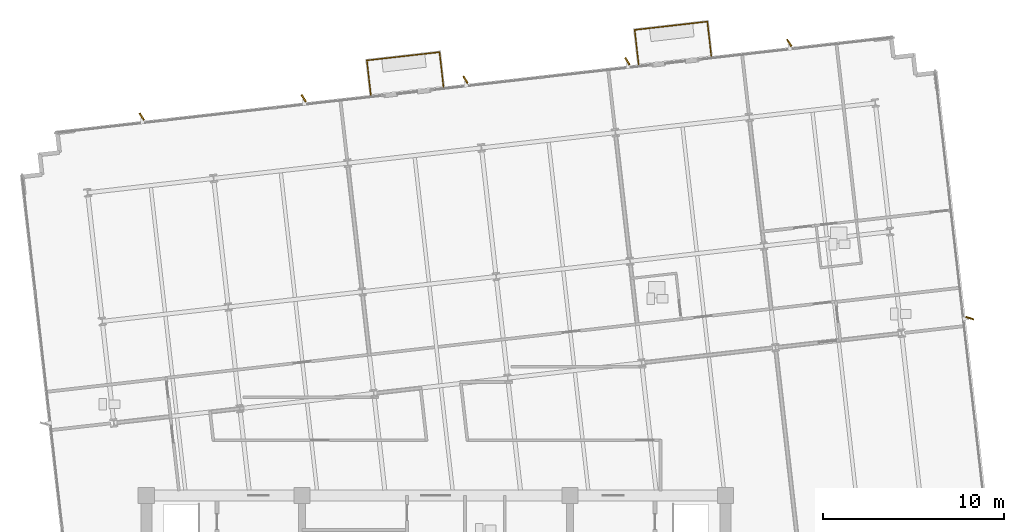
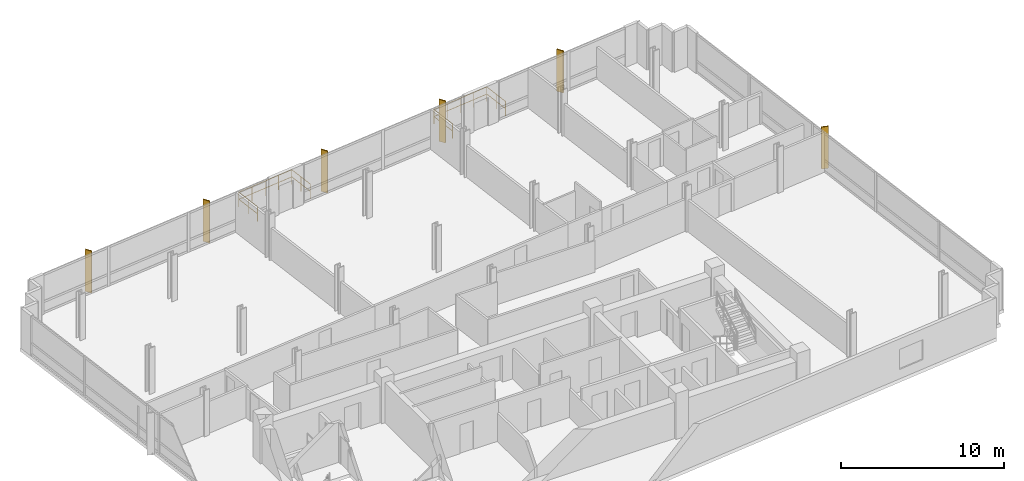
# One storey, part 13 of 14: 6 railings, 6 shading devices.
"""IFC4 building model written with IfcOpenShell, lengths in metres."""

from ifc_helpers import new_model, si_unit, direction, frame, origin, origin_2d, place, context, subcontext, project, spatial, rectangle, circle, extrude, material, layer, layer_set, type_object, element, save


model = new_model("IFC4")

# Units and contexts
model_context = context("Model", 3, precision=1e-05, world=origin(), true_north=direction((0.0, 1.0)))
body_context = subcontext(model_context, "Body", "Model", "MODEL_VIEW")
ifc_project = project(units=[si_unit("LENGTHUNIT", "METRE"), si_unit("AREAUNIT", "SQUARE_METRE"), si_unit("VOLUMEUNIT", "CUBIC_METRE"), si_unit("PLANEANGLEUNIT", "RADIAN"), si_unit("MASSUNIT", "GRAM", prefix="KILO")], contexts=[model_context])

# Site, building, storey
site_placement = place(None, origin())
site = spatial("IfcSite", under=ifc_project, at=site_placement, CompositionType="ELEMENT")
building_placement = place(site_placement, origin())
building = spatial("IfcBuilding", under=site, at=building_placement, Name="Solmavex Isthmus Hotel", CompositionType="ELEMENT")
storey_placement = place(building_placement, frame((0.0, 0.0, 236.550048828125)))
storey = spatial("IfcBuildingStorey", under=building, at=storey_placement, Name="L64", CompositionType="ELEMENT", Elevation=236.550048828125)

# Railings
ifc_material_1 = material(Name="Clear low-E laminated glass", Category="glass")
ifc_layer = layer(ifc_material_1, 0.070068359375)
ifc_layer_set = layer_set([ifc_layer], Name="Clear low-E laminated glass")
railing_type = type_object("IfcRailingType", Name="RAIL-GUARD-1100", PredefinedType="BALUSTRADE", material=ifc_layer_set)
railing_1_placement = place(storey_placement, frame((-3.600341796875, 19.630859375, 0.0)))
element("IfcRailing", 1, at=railing_1_placement, inside=storey, type_object=railing_type, Name="Guardrail Balustrade L64-BAL1-01", PredefinedType="BALUSTRADE", context=body_context, shape_type="SweptSolid", body=[
    extrude(circle(Radius=0.02392578125, at=origin_2d()), frame((0.0, 0.0, 1.09619140625), z_axis=(-0.113166454875, 0.993576043135, 0.0), x_axis=(-0.993576043135, -0.113166454875, 0.0)), (0.0, 0.0, 1.0), 1.920166015625),
    extrude(circle(Radius=0.02392578125, at=origin_2d()), frame((0.0, 0.0, 0.56005859375), z_axis=(-0.113166454875, 0.993576043135, 0.0), x_axis=(-0.993576043135, -0.113166454875, 0.0)), (0.0, 0.0, 1.0), 1.920166015625),
    extrude(circle(Radius=0.02099609375, at=origin_2d()), origin(), (0.0, 0.0, 1.0), 1.072021484375),
    extrude(circle(Radius=0.02099609375, at=origin_2d()), frame((-0.108642578125, 0.953857421875, 0.0)), (0.0, 0.0, 1.0), 1.072021484375),
    extrude(circle(Radius=0.02099609375, at=origin_2d()), frame((-0.21728515625, 1.90771484375, 0.0)), (0.0, 0.0, 1.0), 1.072021484375),
])
railing_2_placement = place(storey_placement, frame((-3.817626953125, 21.53857421875, 0.0)))
element("IfcRailing", 2, at=railing_2_placement, inside=storey, type_object=railing_type, Name="Guardrail Balustrade L64-BAL1-02", PredefinedType="BALUSTRADE", context=body_context, shape_type="SweptSolid", body=[
    extrude(circle(Radius=0.02392578125, at=origin_2d()), frame((0.0, 0.0, 1.09619140625), z_axis=(0.993573319275, 0.113190367192, 0.0), x_axis=(-0.113190367192, 0.993573319275, 0.0)), (0.0, 0.0, 1.0), 4.039794921875),
    extrude(circle(Radius=0.02392578125, at=origin_2d()), frame((0.0, 0.0, 0.56005859375), z_axis=(0.993573319275, 0.113190367192, 0.0), x_axis=(-0.113190367192, 0.993573319275, 0.0)), (0.0, 0.0, 1.0), 4.039794921875),
    extrude(circle(Radius=0.02099609375, at=origin_2d()), origin(), (0.0, 0.0, 1.0), 1.072021484375),
    extrude(circle(Radius=0.02099609375, at=origin_2d()), frame((1.00341796875, 0.1142578125, 0.0)), (0.0, 0.0, 1.0), 1.072021484375),
    extrude(circle(Radius=0.02099609375, at=origin_2d()), frame((2.0068359375, 0.228515625, 0.0)), (0.0, 0.0, 1.0), 1.072021484375),
    extrude(circle(Radius=0.02099609375, at=origin_2d()), frame((3.010498046875, 0.343017578125, 0.0)), (0.0, 0.0, 1.0), 1.072021484375),
    extrude(circle(Radius=0.02099609375, at=origin_2d()), frame((4.013916015625, 0.457275390625, 0.0)), (0.0, 0.0, 1.0), 1.072021484375),
])
railing_3_placement = place(storey_placement, frame((0.1962890625, 21.995849609375, 0.0)))
element("IfcRailing", 3, at=railing_3_placement, inside=storey, type_object=railing_type, Name="Guardrail Balustrade L64-BAL1-03", PredefinedType="BALUSTRADE", context=body_context, shape_type="SweptSolid", body=[
    extrude(circle(Radius=0.02392578125, at=origin_2d()), frame((0.0, 0.0, 1.09619140625), z_axis=(0.113180753722, -0.993574414418, 0.0), x_axis=(0.993574414418, 0.113180753722, 0.0)), (0.0, 0.0, 1.0), 1.919921875),
    extrude(circle(Radius=0.02392578125, at=origin_2d()), frame((0.0, 0.0, 0.56005859375), z_axis=(0.113180753722, -0.993574414418, 0.0), x_axis=(0.993574414418, 0.113180753722, 0.0)), (0.0, 0.0, 1.0), 1.919921875),
    extrude(circle(Radius=0.02099609375, at=origin_2d()), origin(), (0.0, 0.0, 1.0), 1.072021484375),
    extrude(circle(Radius=0.02099609375, at=origin_2d()), frame((0.108642578125, -0.95361328125, 0.0)), (0.0, 0.0, 1.0), 1.072021484375),
    extrude(circle(Radius=0.02099609375, at=origin_2d()), frame((0.21728515625, -1.907470703125, 0.0)), (0.0, 0.0, 1.0), 1.072021484375),
])
railing_4_placement = place(storey_placement, frame((11.196044921875, 21.31689453125, 0.0)))
element("IfcRailing", 4, at=railing_4_placement, inside=storey, type_object=railing_type, Name="Guardrail Balustrade L64-BAL2-01", PredefinedType="BALUSTRADE", context=body_context, shape_type="SweptSolid", body=[
    extrude(circle(Radius=0.02392578125, at=origin_2d()), frame((0.0, 0.0, 1.09619140625), z_axis=(-0.113306291372, 0.993560106051, 0.0), x_axis=(-0.993560106051, -0.113306291372, 0.0)), (0.0, 0.0, 1.0), 1.919921875),
    extrude(circle(Radius=0.02392578125, at=origin_2d()), frame((0.0, 0.0, 0.56005859375), z_axis=(-0.113306291372, 0.993560106051, 0.0), x_axis=(-0.993560106051, -0.113306291372, 0.0)), (0.0, 0.0, 1.0), 1.919921875),
    extrude(circle(Radius=0.02099609375, at=origin_2d()), origin(), (0.0, 0.0, 1.0), 1.072021484375),
    extrude(circle(Radius=0.02099609375, at=origin_2d()), frame((-0.10888671875, 0.95361328125, 0.0)), (0.0, 0.0, 1.0), 1.072021484375),
    extrude(circle(Radius=0.02099609375, at=origin_2d()), frame((-0.217529296875, 1.907470703125, 0.0)), (0.0, 0.0, 1.0), 1.072021484375),
])
railing_5_placement = place(storey_placement, frame((10.978515625, 23.224365234375, 0.0)))
element("IfcRailing", 5, at=railing_5_placement, inside=storey, type_object=railing_type, Name="Guardrail Balustrade L64-BAL2-02", PredefinedType="BALUSTRADE", context=body_context, shape_type="SweptSolid", body=[
    extrude(circle(Radius=0.02392578125, at=origin_2d()), frame((0.0, 0.0, 1.09619140625), z_axis=(0.993567296105, 0.113243225453, 0.0), x_axis=(-0.113243225453, 0.993567296105, 0.0)), (0.0, 0.0, 1.0), 4.0400390625),
    extrude(circle(Radius=0.02392578125, at=origin_2d()), frame((0.0, 0.0, 0.56005859375), z_axis=(0.993567296105, 0.113243225453, 0.0), x_axis=(-0.113243225453, 0.993567296105, 0.0)), (0.0, 0.0, 1.0), 4.0400390625),
    extrude(circle(Radius=0.02099609375, at=origin_2d()), origin(), (0.0, 0.0, 1.0), 1.072021484375),
    extrude(circle(Radius=0.02099609375, at=origin_2d()), frame((1.00341796875, 0.1142578125, 0.0)), (0.0, 0.0, 1.0), 1.072021484375),
    extrude(circle(Radius=0.02099609375, at=origin_2d()), frame((2.007080078125, 0.228759765625, 0.0)), (0.0, 0.0, 1.0), 1.072021484375),
    extrude(circle(Radius=0.02099609375, at=origin_2d()), frame((3.0107421875, 0.34326171875, 0.0)), (0.0, 0.0, 1.0), 1.072021484375),
    extrude(circle(Radius=0.02099609375, at=origin_2d()), frame((4.01416015625, 0.45751953125, 0.0)), (0.0, 0.0, 1.0), 1.072021484375),
])
railing_6_placement = place(storey_placement, frame((14.99267578125, 23.681884765625, 0.0)))
element("IfcRailing", 6, at=railing_6_placement, inside=storey, type_object=railing_type, Name="Guardrail Balustrade L64-BAL2-03", PredefinedType="BALUSTRADE", context=body_context, shape_type="SweptSolid", body=[
    extrude(circle(Radius=0.02392578125, at=origin_2d()), frame((0.0, 0.0, 1.09619140625), z_axis=(0.113166454875, -0.993576043135, 0.0), x_axis=(0.993576043135, 0.113166454875, 0.0)), (0.0, 0.0, 1.0), 1.920166015625),
    extrude(circle(Radius=0.02392578125, at=origin_2d()), frame((0.0, 0.0, 0.56005859375), z_axis=(0.113166454875, -0.993576043135, 0.0), x_axis=(0.993576043135, 0.113166454875, 0.0)), (0.0, 0.0, 1.0), 1.920166015625),
    extrude(circle(Radius=0.02099609375, at=origin_2d()), origin(), (0.0, 0.0, 1.0), 1.072021484375),
    extrude(circle(Radius=0.02099609375, at=origin_2d()), frame((0.108642578125, -0.953857421875, 0.0)), (0.0, 0.0, 1.0), 1.072021484375),
    extrude(circle(Radius=0.02099609375, at=origin_2d()), frame((0.21728515625, -1.90771484375, 0.0)), (0.0, 0.0, 1.0), 1.072021484375),
])

# Shading devices
ifc_material_2 = material(Name="Aluminium alloy 6063-T6", Category="aluminium")
shading_device_type = type_object("IfcShadingDeviceType", Name="SHD-FIN-BRONZE", PredefinedType="USERDEFINED", material=ifc_material_2)
for number, where, z_axis, x_axis, name in (
    (7, (-16.2529296875, 18.430908203125, -0.14013671875), (0.0, 0.0, 1.0), (-0.537299608347, 0.843391445813, 0.0), "Anodised Aluminium Solar Fin L64-N1"),
    (8, (-7.310791015625, 19.44970703125, -0.14013671875), (0.0, 0.0, 1.0), (-0.537299608347, 0.843391445813, 0.0), "Anodised Aluminium Solar Fin L64-N2"),
    (9, (1.63134765625, 20.468505859375, -0.14013671875), (0.0, 0.0, 1.0), (-0.537299608347, 0.843391445813, 0.0), "Anodised Aluminium Solar Fin L64-N3"),
    (10, (10.57373046875, 21.4873046875, -0.14013671875), (0.0, 0.0, 1.0), (-0.537299608347, 0.843391445813, 0.0), "Anodised Aluminium Solar Fin L64-N4"),
    (11, (19.515869140625, 22.50634765625, -0.14013671875), (0.0, 0.0, 1.0), (-0.537299608347, 0.843391445813, 0.0), "Anodised Aluminium Solar Fin L64-N5"),
    (12, (29.491455078125, 7.2978515625, -0.14013671875), (0.0, 0.0, 1.0), (0.953716950748, -0.300705799504, 0.0), "Anodised Aluminium Solar Fin L64-E1"),
):
    element("IfcShadingDevice", number, at=place(storey_placement, frame(where, z_axis=z_axis, x_axis=x_axis)), inside=storey, type_object=shading_device_type, Name=name, ObjectType="SOLAR_FIN", PredefinedType="USERDEFINED", context=body_context, shape_type="SweptSolid", body=[
        extrude(rectangle(XDim=0.449951171875, YDim=0.080078125, at=origin_2d()), origin(), (0.0, 0.0, 1.0), 3.139892578125),
    ])

save(model, "model.ifc")
